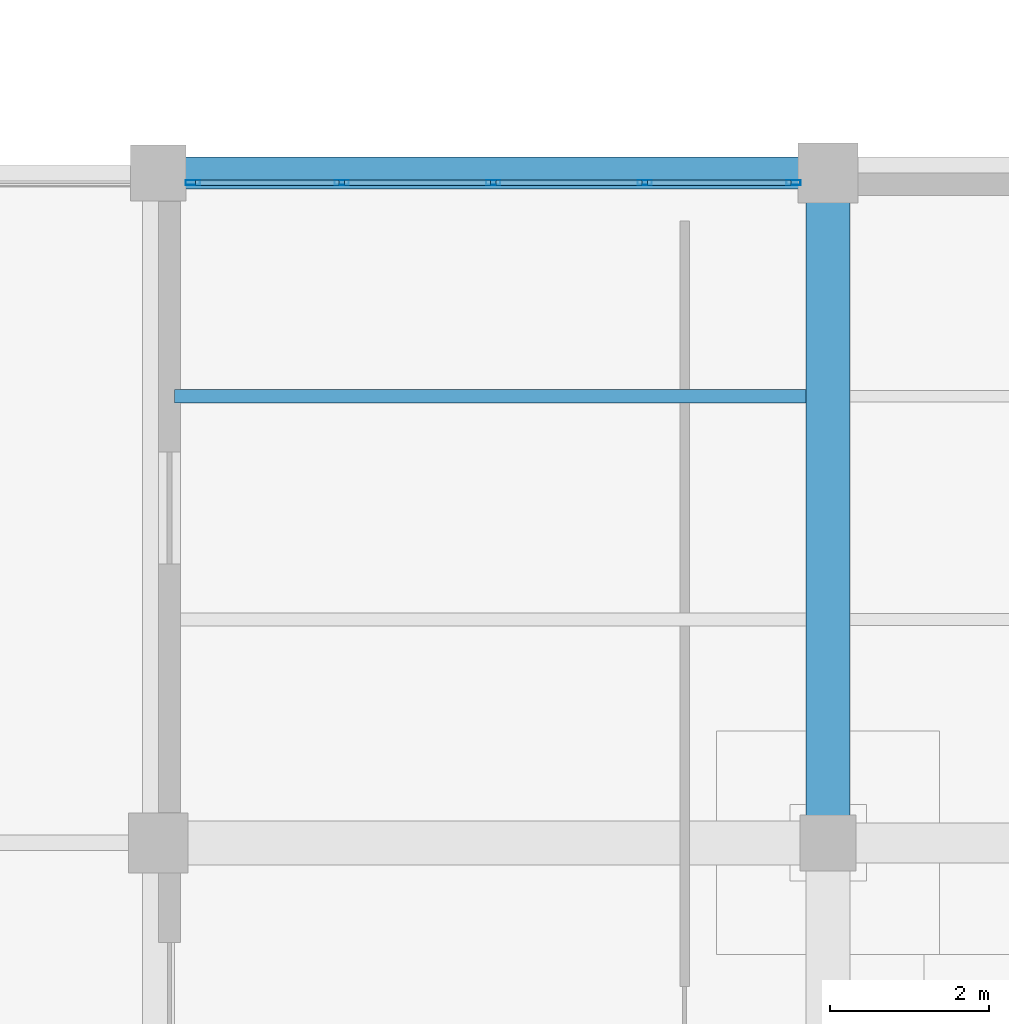
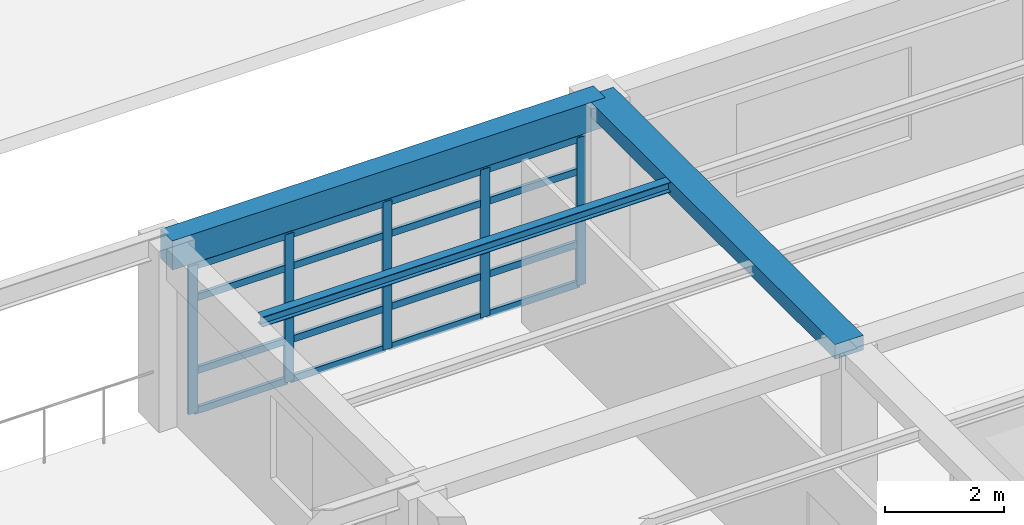
# One storey, part 10 of 35: 21 members, 3 beams, 1 element without a shape of its own.
"""IFC4 building model written with IfcOpenShell, lengths in metres."""

from ifc_helpers import new_model, si_unit, direction, frame, origin, origin_2d, place, context, subcontext, project, spatial, rectangle, hollow_rectangle, i_section, extrude, material, material_profile, profile_set, type_object, element, aggregate, save


model = new_model("IFC4")

# Units and contexts
model_context = context("Model", 3, precision=1e-05, world=origin(), true_north=direction((0.0, 1.0)))
body_context = subcontext(model_context, "Body", "Model", "MODEL_VIEW")
ifc_project = project(units=[si_unit("LENGTHUNIT", "METRE"), si_unit("AREAUNIT", "SQUARE_METRE"), si_unit("VOLUMEUNIT", "CUBIC_METRE"), si_unit("PLANEANGLEUNIT", "RADIAN"), si_unit("MASSUNIT", "GRAM", prefix="KILO")], contexts=[model_context])

# Site, building, storey
site_placement = place(None, origin())
site = spatial("IfcSite", under=ifc_project, at=site_placement, CompositionType="ELEMENT")
building_placement = place(site_placement, origin())
building = spatial("IfcBuilding", under=site, at=building_placement, Name="Almacenes y Pasaje Nevantli", CompositionType="ELEMENT")
storey_placement = place(building_placement, frame((0.0, 0.0, 26.699951171875)))
storey = spatial("IfcBuildingStorey", under=building, at=storey_placement, Name="L06", CompositionType="ELEMENT", Elevation=26.699951171875)

# Beams
ifc_material_1 = material(Name="Concrete C35/45", Category="concrete")
ifc_material_profile_1 = material_profile(ifc_material_1, rectangle(XDim=0.39990234375, YDim=0.60009765625, at=origin_2d()), Name="RC-BM-400x600")
ifc_profile_set_1 = profile_set([ifc_material_profile_1], Name="Concrete C35/45")
beam_type_1 = type_object("IfcBeamType", Name="BM-RC-400x600", PredefinedType="SPANDREL", material=ifc_profile_set_1)
beam_1_placement = place(storey_placement, frame((109.199951171875, 100.800048828125, 3.420166015625), z_axis=(1.0, 0.0, 0.0), x_axis=(0.0, 1.0, 0.0)))
element("IfcBeam", 1, at=beam_1_placement, inside=storey, type_object=beam_type_1, Name="L06 East-West Reinforced Concrete Beam #3597", PredefinedType="SPANDREL", context=body_context, shape_type="SweptSolid", body=[
    extrude(rectangle(XDim=0.39990234375, YDim=0.60009765625, at=origin_2d()), origin(), (0.0, 0.0, 1.0), 8.400146484375),
])
ifc_material_2 = material(Name="Concrete C35/45", Category="concrete")
ifc_material_profile_2 = material_profile(ifc_material_2, rectangle(XDim=0.550048828125, YDim=0.300048828125, at=origin_2d()), Name="RC-BM-550x300")
ifc_profile_set_2 = profile_set([ifc_material_profile_2], Name="Concrete C35/45")
beam_type_2 = type_object("IfcBeamType", Name="BM-RC-550x300", PredefinedType="BEAM", material=ifc_profile_set_2)
beam_2_placement = place(storey_placement, frame((117.60009765625, 92.39990234375, 3.570068359375), z_axis=(0.0, 1.0, 0.0), x_axis=(-1.0, 0.0, 0.0)))
element("IfcBeam", 2, at=beam_2_placement, inside=storey, type_object=beam_type_2, Name="L06 North-South Reinforced Concrete Beam #3610", PredefinedType="BEAM", context=body_context, shape_type="SweptSolid", body=[
    extrude(rectangle(XDim=0.550048828125, YDim=0.300048828125, at=origin_2d()), origin(), (0.0, 0.0, 1.0), 8.400146484375),
])
ifc_material_3 = material(Name="Steel ASTM A992", Category="steel")
ifc_material_profile_3 = material_profile(ifc_material_3, i_section(OverallWidth=0.166015625, OverallDepth=0.205078125, WebThickness=0.007080078125, FlangeThickness=0.01171875, at=origin_2d()), Name="IR 203x41.7")
ifc_profile_set_3 = profile_set([ifc_material_profile_3], Name="Steel ASTM A992")
beam_type_3 = type_object("IfcBeamType", Name="BM-STL-IR-203x41p7", PredefinedType="JOIST", material=ifc_profile_set_3)
beam_3_placement = place(storey_placement, frame((109.39990234375, 98.0, 3.609619140625), z_axis=(1.0, 0.0, 0.0), x_axis=(0.0, 1.0, 0.0)))
element("IfcBeam", 3, at=beam_3_placement, inside=storey, type_object=beam_type_3, Name="L06 Secondary Steel Floor Joist #1360", PredefinedType="JOIST", context=body_context, shape_type="SweptSolid", body=[
    extrude(i_section(OverallWidth=0.166015625, OverallDepth=0.205078125, WebThickness=0.007080078125, FlangeThickness=0.01171875, at=origin_2d()), origin(), (0.0, 0.0, 1.0), 7.925048828125),
])

# Curtain wall, members
ifc_material_4 = material(Name="Thermally Broken Aluminium and Low-E Glass", Category="aluminium")
curtain_wall_type = type_object("IfcCurtainWallType", Name="CW-UNIT-TOWER", PredefinedType="USERDEFINED", material=ifc_material_4)
curtain_wall_placement = place(storey_placement, origin())
curtain_wall = element("IfcCurtainWall", 4, at=curtain_wall_placement, inside=storey, type_object=curtain_wall_type, Name="L06 Tower North Boulevard Unitized Curtain Wall Bay 14", ObjectType="UNITIZED CURTAIN WALL", PredefinedType="USERDEFINED")
ifc_material_5 = material(Name="Thermally Broken Anodized Aluminium", Category="aluminium")
ifc_material_profile_4 = material_profile(ifc_material_5, hollow_rectangle(XDim=0.06494140625, YDim=0.179931640625, WallThickness=0.00390625, at=origin_2d()), Name="ALU-MUL-65x180")
ifc_profile_set_4 = profile_set([ifc_material_profile_4], Name="Thermally Broken Anodized Aluminium")
member_type_1 = type_object("IfcMemberType", Name="CW-MUL-200", PredefinedType="MULLION", material=ifc_profile_set_4)
member_1_placement = place(storey_placement, frame((109.632568359375, 100.679931640625, 0.0), z_axis=(0.0, 0.0, 1.0), x_axis=(0.0, 1.0, 0.0)))
member_1 = element("IfcMember", 5, at=member_1_placement, type_object=member_type_1, Name="CW-L06-102 mullion 1", PredefinedType="MULLION", context=body_context, shape_type="SweptSolid", body=[
    extrude(hollow_rectangle(XDim=0.06494140625, YDim=0.179931640625, WallThickness=0.00390625, at=origin_2d()), origin(), (0.0, 0.0, 1.0), 3.0400390625),
])
member_2_placement = place(storey_placement, frame((111.5, 100.679931640625, 0.0), z_axis=(0.0, 0.0, 1.0), x_axis=(0.0, 1.0, 0.0)))
member_2 = element("IfcMember", 6, at=member_2_placement, type_object=member_type_1, Name="CW-L06-102 mullion 2", PredefinedType="MULLION", context=body_context, shape_type="SweptSolid", body=[
    extrude(hollow_rectangle(XDim=0.06494140625, YDim=0.179931640625, WallThickness=0.00390625, at=origin_2d()), origin(), (0.0, 0.0, 1.0), 3.0400390625),
])
member_3_placement = place(storey_placement, frame((113.39990234375, 100.679931640625, 0.0), z_axis=(0.0, 0.0, 1.0), x_axis=(0.0, 1.0, 0.0)))
member_3 = element("IfcMember", 7, at=member_3_placement, type_object=member_type_1, Name="CW-L06-102 mullion 3", PredefinedType="MULLION", context=body_context, shape_type="SweptSolid", body=[
    extrude(hollow_rectangle(XDim=0.06494140625, YDim=0.179931640625, WallThickness=0.00390625, at=origin_2d()), origin(), (0.0, 0.0, 1.0), 3.0400390625),
])
member_4_placement = place(storey_placement, frame((115.300048828125, 100.679931640625, 0.0), z_axis=(0.0, 0.0, 1.0), x_axis=(0.0, 1.0, 0.0)))
member_4 = element("IfcMember", 8, at=member_4_placement, type_object=member_type_1, Name="CW-L06-102 mullion 4", PredefinedType="MULLION", context=body_context, shape_type="SweptSolid", body=[
    extrude(hollow_rectangle(XDim=0.06494140625, YDim=0.179931640625, WallThickness=0.00390625, at=origin_2d()), origin(), (0.0, 0.0, 1.0), 3.0400390625),
])
member_5_placement = place(storey_placement, frame((117.16748046875, 100.679931640625, 0.0), z_axis=(0.0, 0.0, 1.0), x_axis=(0.0, 1.0, 0.0)))
member_5 = element("IfcMember", 9, at=member_5_placement, type_object=member_type_1, Name="CW-L06-102 mullion 5", PredefinedType="MULLION", context=body_context, shape_type="SweptSolid", body=[
    extrude(hollow_rectangle(XDim=0.06494140625, YDim=0.179931640625, WallThickness=0.00390625, at=origin_2d()), origin(), (0.0, 0.0, 1.0), 3.0400390625),
])
ifc_material_6 = material(Name="Thermally Broken Anodized Aluminium", Category="aluminium")
ifc_material_profile_5 = material_profile(ifc_material_6, hollow_rectangle(XDim=0.06494140625, YDim=0.139892578125, WallThickness=0.00390625, at=origin_2d()), Name="ALU-TRN-65x140")
ifc_profile_set_5 = profile_set([ifc_material_profile_5], Name="Thermally Broken Anodized Aluminium")
member_type_2 = type_object("IfcMemberType", Name="CW-TRN-150", PredefinedType="USERDEFINED", material=ifc_profile_set_5)
member_6_placement = place(storey_placement, frame((109.6650390625, 100.679931640625, 0.032470703125), z_axis=(1.0, 0.0, 0.0), x_axis=(0.0, 1.0, 0.0)))
member_6 = element("IfcMember", 10, at=member_6_placement, type_object=member_type_2, Name="CW-L06-102 transom 1.1", ObjectType="TRANSOM", PredefinedType="USERDEFINED", context=body_context, shape_type="SweptSolid", body=[
    extrude(hollow_rectangle(XDim=0.06494140625, YDim=0.139892578125, WallThickness=0.00390625, at=origin_2d()), origin(), (0.0, 0.0, 1.0), 1.802490234375),
])
member_7_placement = place(storey_placement, frame((109.6650390625, 100.679931640625, 0.85009765625), z_axis=(1.0, 0.0, 0.0), x_axis=(0.0, 1.0, 0.0)))
member_7 = element("IfcMember", 11, at=member_7_placement, type_object=member_type_2, Name="CW-L06-102 transom 1.2", ObjectType="TRANSOM", PredefinedType="USERDEFINED", context=body_context, shape_type="SweptSolid", body=[
    extrude(hollow_rectangle(XDim=0.06494140625, YDim=0.139892578125, WallThickness=0.00390625, at=origin_2d()), origin(), (0.0, 0.0, 1.0), 1.802490234375),
])
member_8_placement = place(storey_placement, frame((109.6650390625, 100.679931640625, 2.35009765625), z_axis=(1.0, 0.0, 0.0), x_axis=(0.0, 1.0, 0.0)))
member_8 = element("IfcMember", 12, at=member_8_placement, type_object=member_type_2, Name="CW-L06-102 transom 1.3", ObjectType="TRANSOM", PredefinedType="USERDEFINED", context=body_context, shape_type="SweptSolid", body=[
    extrude(hollow_rectangle(XDim=0.06494140625, YDim=0.139892578125, WallThickness=0.00390625, at=origin_2d()), origin(), (0.0, 0.0, 1.0), 1.802490234375),
])
member_9_placement = place(storey_placement, frame((109.6650390625, 100.679931640625, 3.007568359375), z_axis=(1.0, 0.0, 0.0), x_axis=(0.0, 1.0, 0.0)))
member_9 = element("IfcMember", 13, at=member_9_placement, type_object=member_type_2, Name="CW-L06-102 transom 1.4", ObjectType="TRANSOM", PredefinedType="USERDEFINED", context=body_context, shape_type="SweptSolid", body=[
    extrude(hollow_rectangle(XDim=0.06494140625, YDim=0.139892578125, WallThickness=0.00390625, at=origin_2d()), origin(), (0.0, 0.0, 1.0), 1.802490234375),
])
member_10_placement = place(storey_placement, frame((111.532470703125, 100.679931640625, 0.032470703125), z_axis=(1.0, 0.0, 0.0), x_axis=(0.0, 1.0, 0.0)))
member_10 = element("IfcMember", 14, at=member_10_placement, type_object=member_type_2, Name="CW-L06-102 transom 2.1", ObjectType="TRANSOM", PredefinedType="USERDEFINED", context=body_context, shape_type="SweptSolid", body=[
    extrude(hollow_rectangle(XDim=0.06494140625, YDim=0.139892578125, WallThickness=0.00390625, at=origin_2d()), origin(), (0.0, 0.0, 1.0), 1.8349609375),
])
member_11_placement = place(storey_placement, frame((111.532470703125, 100.679931640625, 0.85009765625), z_axis=(1.0, 0.0, 0.0), x_axis=(0.0, 1.0, 0.0)))
member_11 = element("IfcMember", 15, at=member_11_placement, type_object=member_type_2, Name="CW-L06-102 transom 2.2", ObjectType="TRANSOM", PredefinedType="USERDEFINED", context=body_context, shape_type="SweptSolid", body=[
    extrude(hollow_rectangle(XDim=0.06494140625, YDim=0.139892578125, WallThickness=0.00390625, at=origin_2d()), origin(), (0.0, 0.0, 1.0), 1.8349609375),
])
member_12_placement = place(storey_placement, frame((111.532470703125, 100.679931640625, 2.35009765625), z_axis=(1.0, 0.0, 0.0), x_axis=(0.0, 1.0, 0.0)))
member_12 = element("IfcMember", 16, at=member_12_placement, type_object=member_type_2, Name="CW-L06-102 transom 2.3", ObjectType="TRANSOM", PredefinedType="USERDEFINED", context=body_context, shape_type="SweptSolid", body=[
    extrude(hollow_rectangle(XDim=0.06494140625, YDim=0.139892578125, WallThickness=0.00390625, at=origin_2d()), origin(), (0.0, 0.0, 1.0), 1.8349609375),
])
member_13_placement = place(storey_placement, frame((111.532470703125, 100.679931640625, 3.007568359375), z_axis=(1.0, 0.0, 0.0), x_axis=(0.0, 1.0, 0.0)))
member_13 = element("IfcMember", 17, at=member_13_placement, type_object=member_type_2, Name="CW-L06-102 transom 2.4", ObjectType="TRANSOM", PredefinedType="USERDEFINED", context=body_context, shape_type="SweptSolid", body=[
    extrude(hollow_rectangle(XDim=0.06494140625, YDim=0.139892578125, WallThickness=0.00390625, at=origin_2d()), origin(), (0.0, 0.0, 1.0), 1.8349609375),
])
member_14_placement = place(storey_placement, frame((113.4326171875, 100.679931640625, 0.032470703125), z_axis=(1.0, 0.0, 0.0), x_axis=(0.0, 1.0, 0.0)))
member_14 = element("IfcMember", 18, at=member_14_placement, type_object=member_type_2, Name="CW-L06-102 transom 3.1", ObjectType="TRANSOM", PredefinedType="USERDEFINED", context=body_context, shape_type="SweptSolid", body=[
    extrude(hollow_rectangle(XDim=0.06494140625, YDim=0.139892578125, WallThickness=0.00390625, at=origin_2d()), origin(), (0.0, 0.0, 1.0), 1.8349609375),
])
member_15_placement = place(storey_placement, frame((113.4326171875, 100.679931640625, 0.85009765625), z_axis=(1.0, 0.0, 0.0), x_axis=(0.0, 1.0, 0.0)))
member_15 = element("IfcMember", 19, at=member_15_placement, type_object=member_type_2, Name="CW-L06-102 transom 3.2", ObjectType="TRANSOM", PredefinedType="USERDEFINED", context=body_context, shape_type="SweptSolid", body=[
    extrude(hollow_rectangle(XDim=0.06494140625, YDim=0.139892578125, WallThickness=0.00390625, at=origin_2d()), origin(), (0.0, 0.0, 1.0), 1.8349609375),
])
member_16_placement = place(storey_placement, frame((113.4326171875, 100.679931640625, 2.35009765625), z_axis=(1.0, 0.0, 0.0), x_axis=(0.0, 1.0, 0.0)))
member_16 = element("IfcMember", 20, at=member_16_placement, type_object=member_type_2, Name="CW-L06-102 transom 3.3", ObjectType="TRANSOM", PredefinedType="USERDEFINED", context=body_context, shape_type="SweptSolid", body=[
    extrude(hollow_rectangle(XDim=0.06494140625, YDim=0.139892578125, WallThickness=0.00390625, at=origin_2d()), origin(), (0.0, 0.0, 1.0), 1.8349609375),
])
member_17_placement = place(storey_placement, frame((113.4326171875, 100.679931640625, 3.007568359375), z_axis=(1.0, 0.0, 0.0), x_axis=(0.0, 1.0, 0.0)))
member_17 = element("IfcMember", 21, at=member_17_placement, type_object=member_type_2, Name="CW-L06-102 transom 3.4", ObjectType="TRANSOM", PredefinedType="USERDEFINED", context=body_context, shape_type="SweptSolid", body=[
    extrude(hollow_rectangle(XDim=0.06494140625, YDim=0.139892578125, WallThickness=0.00390625, at=origin_2d()), origin(), (0.0, 0.0, 1.0), 1.8349609375),
])
member_18_placement = place(storey_placement, frame((115.33251953125, 100.679931640625, 0.032470703125), z_axis=(1.0, 0.0, 0.0), x_axis=(0.0, 1.0, 0.0)))
member_18 = element("IfcMember", 22, at=member_18_placement, type_object=member_type_2, Name="CW-L06-102 transom 4.1", ObjectType="TRANSOM", PredefinedType="USERDEFINED", context=body_context, shape_type="SweptSolid", body=[
    extrude(hollow_rectangle(XDim=0.06494140625, YDim=0.139892578125, WallThickness=0.00390625, at=origin_2d()), origin(), (0.0, 0.0, 1.0), 1.802490234375),
])
member_19_placement = place(storey_placement, frame((115.33251953125, 100.679931640625, 0.85009765625), z_axis=(1.0, 0.0, 0.0), x_axis=(0.0, 1.0, 0.0)))
member_19 = element("IfcMember", 23, at=member_19_placement, type_object=member_type_2, Name="CW-L06-102 transom 4.2", ObjectType="TRANSOM", PredefinedType="USERDEFINED", context=body_context, shape_type="SweptSolid", body=[
    extrude(hollow_rectangle(XDim=0.06494140625, YDim=0.139892578125, WallThickness=0.00390625, at=origin_2d()), origin(), (0.0, 0.0, 1.0), 1.802490234375),
])
member_20_placement = place(storey_placement, frame((115.33251953125, 100.679931640625, 2.35009765625), z_axis=(1.0, 0.0, 0.0), x_axis=(0.0, 1.0, 0.0)))
member_20 = element("IfcMember", 24, at=member_20_placement, type_object=member_type_2, Name="CW-L06-102 transom 4.3", ObjectType="TRANSOM", PredefinedType="USERDEFINED", context=body_context, shape_type="SweptSolid", body=[
    extrude(hollow_rectangle(XDim=0.06494140625, YDim=0.139892578125, WallThickness=0.00390625, at=origin_2d()), origin(), (0.0, 0.0, 1.0), 1.802490234375),
])
member_21_placement = place(storey_placement, frame((115.33251953125, 100.679931640625, 3.007568359375), z_axis=(1.0, 0.0, 0.0), x_axis=(0.0, 1.0, 0.0)))
member_21 = element("IfcMember", 25, at=member_21_placement, type_object=member_type_2, Name="CW-L06-102 transom 4.4", ObjectType="TRANSOM", PredefinedType="USERDEFINED", context=body_context, shape_type="SweptSolid", body=[
    extrude(hollow_rectangle(XDim=0.06494140625, YDim=0.139892578125, WallThickness=0.00390625, at=origin_2d()), origin(), (0.0, 0.0, 1.0), 1.802490234375),
])
aggregate(curtain_wall, [member_1, member_2, member_3, member_4, member_5, member_6, member_7, member_8, member_9, member_10, member_11, member_12, member_13, member_14, member_15, member_16, member_17, member_18, member_19, member_20, member_21])

save(model, "model.ifc")
